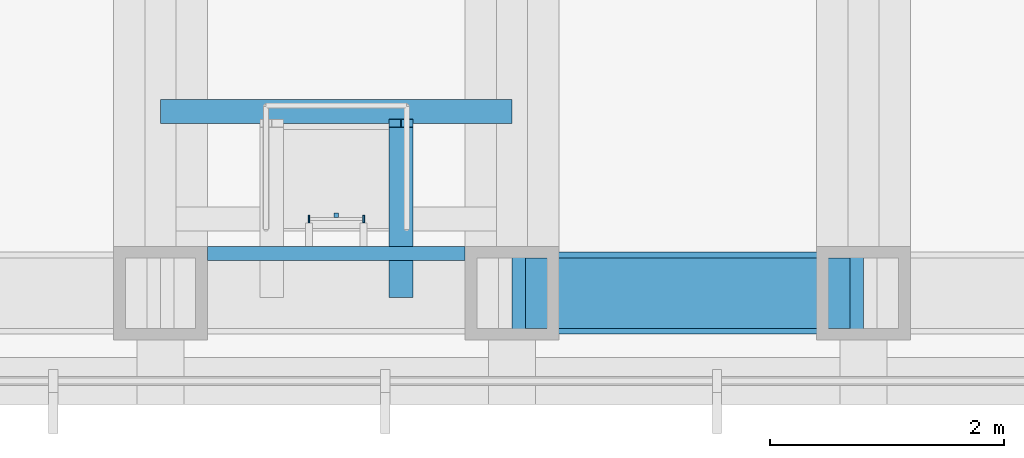
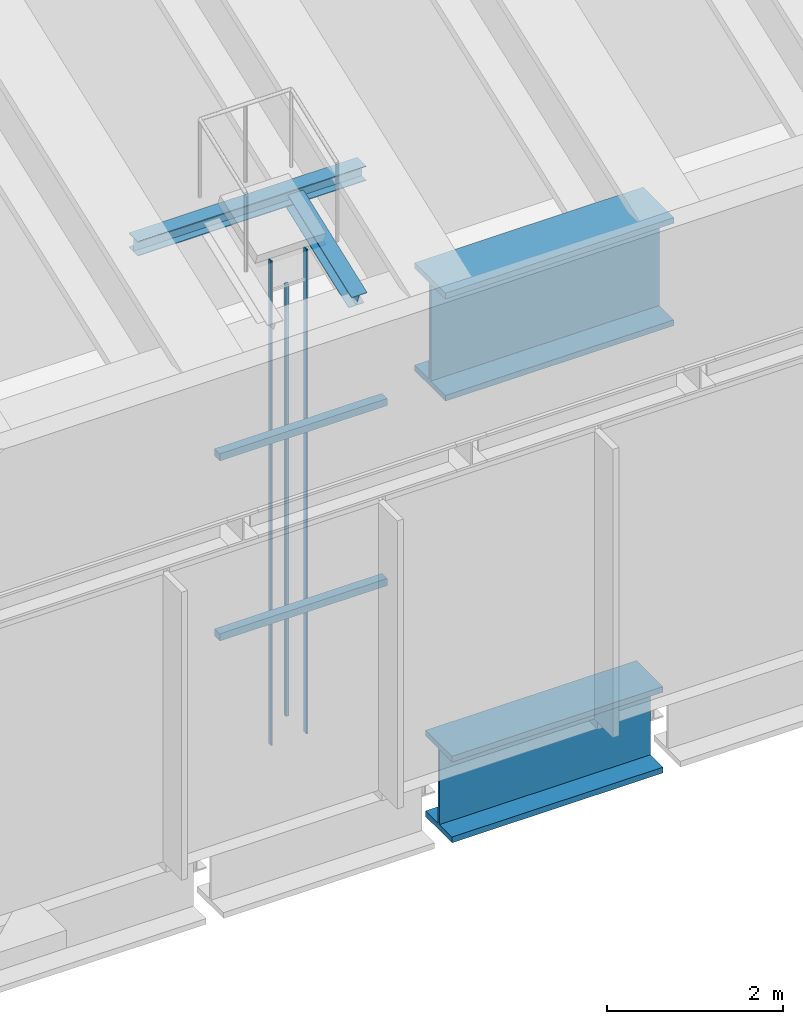
# One storey, part 3 of 15: 5 members, 4 beams.
"""IFC4 building model written with IfcOpenShell, lengths in metres."""

from ifc_helpers import new_model, si_unit, direction, frame, origin, origin_2d, place, context, subcontext, project, spatial, rectangle, i_section, extrude, material, material_profile, profile_set, type_object, element, save


model = new_model("IFC4")

# Units and contexts
model_context = context("Model", 3, precision=1e-05, world=origin(), true_north=direction((0.0, 1.0)))
body_context = subcontext(model_context, "Body", "Model", "MODEL_VIEW")
ifc_project = project(units=[si_unit("LENGTHUNIT", "METRE"), si_unit("AREAUNIT", "SQUARE_METRE"), si_unit("VOLUMEUNIT", "CUBIC_METRE"), si_unit("PLANEANGLEUNIT", "RADIAN"), si_unit("MASSUNIT", "GRAM", prefix="KILO")], contexts=[model_context])

# Site, building, storey
site_placement = place(None, origin())
site = spatial("IfcSite", under=ifc_project, at=site_placement, CompositionType="ELEMENT")
building_placement = place(site_placement, origin())
building = spatial("IfcBuilding", under=site, at=building_placement, Name="Daluyong Arena Tower", CompositionType="ELEMENT")
storey_placement = place(building_placement, frame((0.0, 0.0, 285.699951171875)))
storey = spatial("IfcBuildingStorey", under=building, at=storey_placement, Name="L64", CompositionType="ELEMENT", Elevation=285.699951171875)

# Beams
ifc_material_1 = material(Name="Steel ASTM A572 Grade 50", Category="steel")
ifc_material_profile_1 = material_profile(ifc_material_1, i_section(OverallWidth=0.699951171875, OverallDepth=1.5, WebThickness=0.04, FlangeThickness=0.08, at=origin_2d()))
ifc_profile_set_1 = profile_set([ifc_material_profile_1], Name="Steel ASTM A572 Grade 50")
beam_type_1 = type_object("IfcBeamType", Name="Crown roof edge beam PG1500X700", PredefinedType="SPANDREL", material=ifc_profile_set_1)
beam_1_placement = place(storey_placement, frame((50.0, 62.0, 5.50244140625), z_axis=(1.0, 0.0, 0.0), x_axis=(0.0, 1.0, 0.0)))
element("IfcBeam", 1, at=beam_1_placement, inside=storey, type_object=beam_type_1, Name="crown roof edge beam RB1", PredefinedType="SPANDREL", context=body_context, shape_type="SweptSolid", body=[
    extrude(i_section(OverallWidth=0.699951171875, OverallDepth=1.5, WebThickness=0.04, FlangeThickness=0.08, at=origin_2d()), origin(), (0.0, 0.0, 1.0), 3.0),
])
ifc_material_2 = material(Name="Steel ASTM A992 Grade 50", Category="steel")
ifc_material_profile_2 = material_profile(ifc_material_2, i_section(OverallWidth=0.203125, OverallDepth=0.203125, WebThickness=0.00732421875, FlangeThickness=0.010986328125, at=origin_2d()))
ifc_profile_set_2 = profile_set([ifc_material_profile_2], Name="Steel ASTM A992 Grade 50")
beam_type_2 = type_object("IfcBeamType", Name="Crown roof opening trimmer W8X31", PredefinedType="BEAM", material=ifc_profile_set_2)
beam_2_placement = place(storey_placement, frame((47.0, 63.551513671875, 6.826416015625), z_axis=(1.0, 0.0, 0.0), x_axis=(0.0, 1.0, 0.0)))
element("IfcBeam", 2, at=beam_2_placement, inside=storey, type_object=beam_type_2, Name="crown roof opening trimmer HT1", PredefinedType="BEAM", context=body_context, shape_type="SweptSolid", body=[
    extrude(i_section(OverallWidth=0.203125, OverallDepth=0.203125, WebThickness=0.00732421875, FlangeThickness=0.010986328125, at=origin_2d()), origin(), (0.0, 0.0, 1.0), 3.0),
])
beam_3_placement = place(storey_placement, frame((49.051513671875, 62.0, 6.275390625), z_axis=(0.0, 0.936231965537, 0.351382564604), x_axis=(-1.0, 0.0, 0.0)))
element("IfcBeam", 3, at=beam_3_placement, inside=storey, type_object=beam_type_2, Name="crown roof opening trimmer HT1", PredefinedType="BEAM", context=body_context, shape_type="SweptSolid", body=[
    extrude(i_section(OverallWidth=0.203125, OverallDepth=0.203125, WebThickness=0.00732421875, FlangeThickness=0.010986328125, at=origin_2d()), origin(), (0.0, 0.0, 1.0), 1.548828125),
])

# Members
ifc_material_3 = material(Name="Stainless steel fall-arrest rail", Category="steel")
ifc_material_profile_3 = material_profile(ifc_material_3, rectangle(XDim=0.0400390625, YDim=0.0400390625, at=origin_2d()))
ifc_profile_set_3 = profile_set([ifc_material_profile_3], Name="Stainless steel fall-arrest rail")
member_type_1 = type_object("IfcMemberType", Name="Ladder fall-arrest rail 40x40", PredefinedType="MEMBER", material=ifc_profile_set_3)
member_placement = place(storey_placement, frame((48.5, 62.6650390625, 0.300048828125), z_axis=(0.0, 0.0, 1.0), x_axis=(1.0, 0.0, 0.0)))
element("IfcMember", 4, at=member_placement, inside=storey, type_object=member_type_1, Name="crown roof access ladder fall-arrest rail", PredefinedType="MEMBER", context=body_context, shape_type="SweptSolid", body=[
    extrude(rectangle(XDim=0.0400390625, YDim=0.0400390625, at=origin_2d()), origin(), (0.0, 0.0, 1.0), 6.0),
])
ifc_material_4 = material(Name="Galvanised steel channel", Category="steel")
ifc_material_profile_4 = material_profile(ifc_material_4, rectangle(XDim=0.1201171875, YDim=0.10009765625, at=origin_2d()))
ifc_profile_set_4 = profile_set([ifc_material_profile_4], Name="Galvanised steel channel")
member_type_2 = type_object("IfcMemberType", Name="Roof access ladder restraint rail 120x100", PredefinedType="MEMBER", material=ifc_profile_set_4)
for number, where, z_axis, x_axis, name in (
    (5, (47.39990234375, 62.340087890625, 2.0), (1.0, 0.0, 0.0), (0.0, 1.0, 0.0), "crown roof access ladder restraint rail"),
    (6, (47.39990234375, 62.340087890625, 4.5), (1.0, 0.0, 0.0), (0.0, 1.0, 0.0), "crown roof access ladder restraint rail"),
):
    element("IfcMember", number, at=place(storey_placement, frame(where, z_axis=z_axis, x_axis=x_axis)), inside=storey, type_object=member_type_2, Name=name, PredefinedType="MEMBER", context=body_context, shape_type="SweptSolid", body=[
        extrude(rectangle(XDim=0.1201171875, YDim=0.10009765625, at=origin_2d()), origin(), (0.0, 0.0, 1.0), 2.2001953125),
    ])
ifc_material_5 = material(Name="Galvanised steel ladder", Category="steel")
ifc_material_profile_5 = material_profile(ifc_material_5, rectangle(XDim=0.01611328125, YDim=0.06494140625, at=origin_2d()))
ifc_profile_set_5 = profile_set([ifc_material_profile_5], Name="Galvanised steel ladder")
member_type_3 = type_object("IfcMemberType", Name="Roof access ladder stile 65x16", PredefinedType="MEMBER", material=ifc_profile_set_5)
for number, where, z_axis, x_axis, name in (
    (7, (48.26708984375, 62.632568359375, 0.0), (0.0, 0.0, 1.0), (1.0, 0.0, 0.0), "crown roof access ladder stile"),
    (8, (48.73291015625, 62.632568359375, 0.0), (0.0, 0.0, 1.0), (1.0, 0.0, 0.0), "crown roof access ladder stile"),
):
    element("IfcMember", number, at=place(storey_placement, frame(where, z_axis=z_axis, x_axis=x_axis)), inside=storey, type_object=member_type_3, Name=name, PredefinedType="MEMBER", context=body_context, shape_type="SweptSolid", body=[
        extrude(rectangle(XDim=0.01611328125, YDim=0.06494140625, at=origin_2d()), origin(), (0.0, 0.0, 1.0), 6.73046875),
    ])

# Beam
ifc_material_6 = material(Name="Steel ASTM A572 Grade 50", Category="steel")
ifc_material_profile_6 = material_profile(ifc_material_6, i_section(OverallWidth=0.60009765625, OverallDepth=1.199951171875, WebThickness=0.03, FlangeThickness=0.08, at=origin_2d()))
ifc_profile_set_6 = profile_set([ifc_material_profile_6], Name="Steel ASTM A572 Grade 50")
beam_type_3 = type_object("IfcBeamType", Name="Spandrel ZC PG1200X600", PredefinedType="SPANDREL", material=ifc_profile_set_6)
beam_4_placement = place(storey_placement, frame((50.114990234375, 62.0, -0.849853515625), z_axis=(1.0, 0.0, 0.0), x_axis=(0.0, 1.0, 0.0)))
element("IfcBeam", 9, at=beam_4_placement, inside=storey, type_object=beam_type_3, Name="spandrel zc SB10", PredefinedType="SPANDREL", context=body_context, shape_type="SweptSolid", body=[
    extrude(i_section(OverallWidth=0.60009765625, OverallDepth=1.199951171875, WebThickness=0.03, FlangeThickness=0.08, at=origin_2d()), origin(), (0.0, 0.0, 1.0), 2.77001953125),
])

save(model, "model.ifc")
